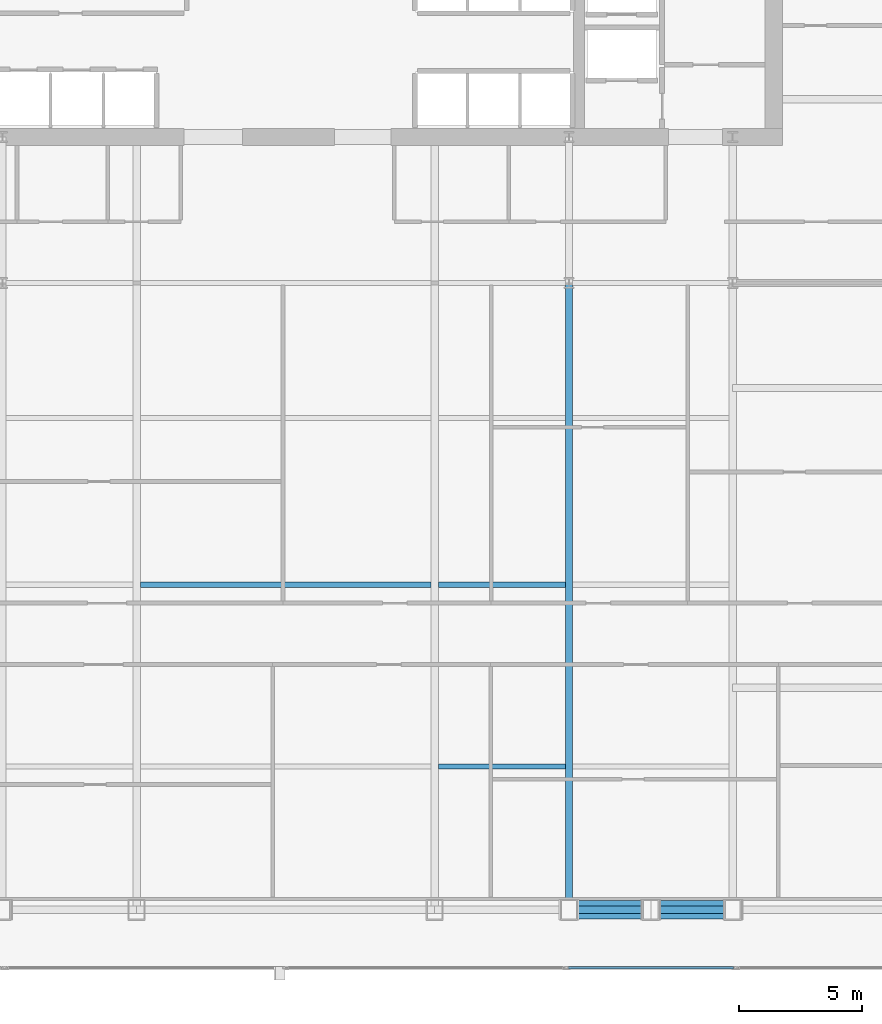
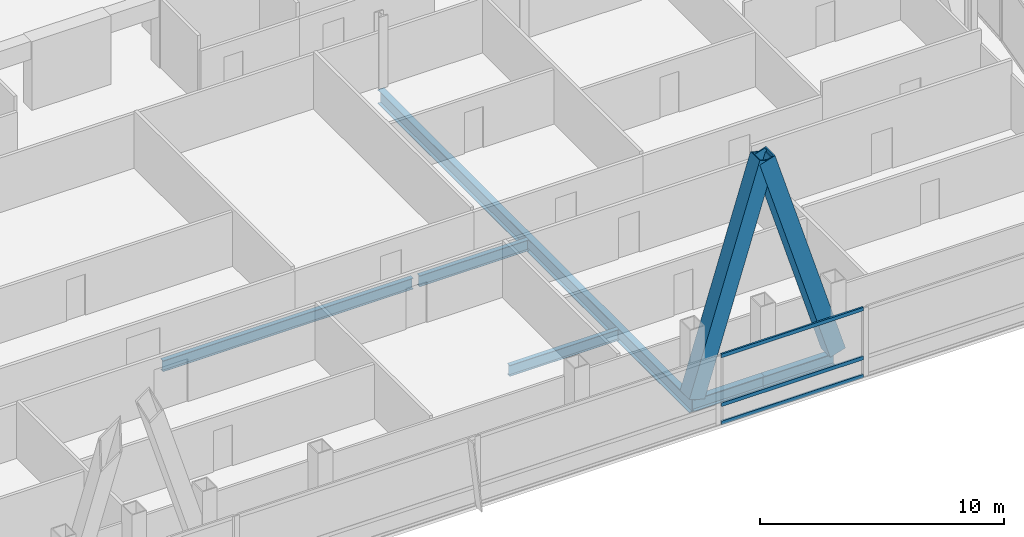
# One storey, part 14 of 33: 6 beams, 5 members, 1 element without a shape of its own.
"""IFC4 building model written with IfcOpenShell, lengths in metres."""

from ifc_helpers import new_model, si_unit, direction, frame, origin, origin_2d, place, context, subcontext, project, spatial, hollow_rectangle, i_section, extrude, material, material_profile, profile_set, type_object, element, aggregate, save


model = new_model("IFC4")

# Units and contexts
model_context = context("Model", 3, precision=1e-05, world=origin(), true_north=direction((0.0, 1.0)))
body_context = subcontext(model_context, "Body", "Model", "MODEL_VIEW")
ifc_project = project(units=[si_unit("LENGTHUNIT", "METRE"), si_unit("AREAUNIT", "SQUARE_METRE"), si_unit("VOLUMEUNIT", "CUBIC_METRE"), si_unit("PLANEANGLEUNIT", "RADIAN"), si_unit("MASSUNIT", "GRAM", prefix="KILO")], contexts=[model_context])

# Site, building, storey
site_placement = place(None, origin())
site = spatial("IfcSite", under=ifc_project, at=site_placement, CompositionType="ELEMENT")
building_placement = place(site_placement, origin())
building = spatial("IfcBuilding", under=site, at=building_placement, Name="Khoronbel Lancet Exchange", CompositionType="ELEMENT")
storey_placement = place(building_placement, frame((0.0, 0.0, 118.199951171875)))
storey = spatial("IfcBuildingStorey", under=building, at=storey_placement, Name="L28", CompositionType="ELEMENT", Elevation=118.199951171875)

# Beams
ifc_material_1 = material(Name="Steel S355", Category="steel")
ifc_material_profile_1 = material_profile(ifc_material_1, i_section(OverallWidth=0.300048828125, OverallDepth=0.699951171875, WebThickness=0.01708984375, FlangeThickness=0.031982421875, at=origin_2d()), Name="HEB 700")
ifc_profile_set_1 = profile_set([ifc_material_profile_1], Name="Steel S355")
beam_type_1 = type_object("IfcBeamType", Name="BM-BG3", PredefinedType="BEAM", material=ifc_profile_set_1)
beam_1_placement = place(storey_placement, frame((48.0, 10.14990234375, -0.510009765625), z_axis=(0.0, 1.0, 0.0), x_axis=(-1.0, 0.0, 0.0)))
element("IfcBeam", 1, at=beam_1_placement, inside=storey, type_object=beam_type_1, Name="Level L28 south primary girder GS5", PredefinedType="BEAM", context=body_context, shape_type="SweptSolid", body=[
    extrude(i_section(OverallWidth=0.300048828125, OverallDepth=0.699951171875, WebThickness=0.01708984375, FlangeThickness=0.031982421875, at=origin_2d()), origin(), (0.0, 0.0, 1.0), 25.550048828125),
])
ifc_material_profile_2 = material_profile(ifc_material_1, i_section(OverallWidth=0.2099609375, OverallDepth=0.550048828125, WebThickness=0.010986328125, FlangeThickness=0.01708984375, at=origin_2d()), Name="IPE 550")
ifc_profile_set_2 = profile_set([ifc_material_profile_2], Name="Steel S355")
beam_type_2 = type_object("IfcBeamType", Name="BM-BJ2", PredefinedType="JOIST", material=ifc_profile_set_2)
beam_2_placement = place(storey_placement, frame((42.675048828125, 16.0, -0.43505859375), z_axis=(1.0, 0.0, 0.0), x_axis=(0.0, 1.0, 0.0)))
element("IfcBeam", 2, at=beam_2_placement, inside=storey, type_object=beam_type_2, Name="Level L28 secondary composite joist J04", PredefinedType="JOIST", context=body_context, shape_type="SweptSolid", body=[
    extrude(i_section(OverallWidth=0.2099609375, OverallDepth=0.550048828125, WebThickness=0.010986328125, FlangeThickness=0.01708984375, at=origin_2d()), origin(), (0.0, 0.0, 1.0), 5.175048828125),
])
beam_3_placement = place(storey_placement, frame((30.52490234375, 23.39990234375, -0.43505859375), z_axis=(1.0, 0.0, 0.0), x_axis=(0.0, 1.0, 0.0)))
element("IfcBeam", 3, at=beam_3_placement, inside=storey, type_object=beam_type_2, Name="Level L28 secondary composite joist J08", PredefinedType="JOIST", context=body_context, shape_type="SweptSolid", body=[
    extrude(i_section(OverallWidth=0.2099609375, OverallDepth=0.550048828125, WebThickness=0.010986328125, FlangeThickness=0.01708984375, at=origin_2d()), origin(), (0.0, 0.0, 1.0), 11.85009765625),
])
beam_4_placement = place(storey_placement, frame((42.675048828125, 23.39990234375, -0.43505859375), z_axis=(1.0, 0.0, 0.0), x_axis=(0.0, 1.0, 0.0)))
element("IfcBeam", 4, at=beam_4_placement, inside=storey, type_object=beam_type_2, Name="Level L28 secondary composite joist J09", PredefinedType="JOIST", context=body_context, shape_type="SweptSolid", body=[
    extrude(i_section(OverallWidth=0.2099609375, OverallDepth=0.550048828125, WebThickness=0.010986328125, FlangeThickness=0.01708984375, at=origin_2d()), origin(), (0.0, 0.0, 1.0), 5.175048828125),
])
ifc_material_profile_3 = material_profile(ifc_material_1, i_section(OverallWidth=0.300048828125, OverallDepth=0.60009765625, WebThickness=0.015380859375, FlangeThickness=0.030029296875, at=origin_2d()), Name="HEB 600")
ifc_profile_set_3 = profile_set([ifc_material_profile_3], Name="Steel S355")
beam_type_3 = type_object("IfcBeamType", Name="BM-BSP2", PredefinedType="SPANDREL", material=ifc_profile_set_3)
beam_5_placement = place(storey_placement, frame((48.0, 10.14990234375, -0.4599609375), z_axis=(1.0, 0.0, 0.0), x_axis=(0.0, 1.0, 0.0)))
element("IfcBeam", 5, at=beam_5_placement, inside=storey, type_object=beam_type_3, Name="Level L28 perimeter spandrel beam SP07", PredefinedType="SPANDREL", context=body_context, shape_type="SweptSolid", body=[
    extrude(i_section(OverallWidth=0.300048828125, OverallDepth=0.60009765625, WebThickness=0.015380859375, FlangeThickness=0.030029296875, at=origin_2d()), origin(), (0.0, 0.0, 1.0), 3.33740234375),
])
beam_6_placement = place(storey_placement, frame((51.33740234375, 10.14990234375, -0.4599609375), z_axis=(1.0, 0.0, 0.0), x_axis=(0.0, 1.0, 0.0)))
element("IfcBeam", 6, at=beam_6_placement, inside=storey, type_object=beam_type_3, Name="Level L28 perimeter spandrel beam SP08", PredefinedType="SPANDREL", context=body_context, shape_type="SweptSolid", body=[
    extrude(i_section(OverallWidth=0.300048828125, OverallDepth=0.60009765625, WebThickness=0.015380859375, FlangeThickness=0.030029296875, at=origin_2d()), origin(), (0.0, 0.0, 1.0), 3.337646484375),
])

# Curtain wall, members
ifc_material_2 = material(Name="Low-E Solar Control Insulating Glass", Category="glass")
curtain_wall_type = type_object("IfcCurtainWallType", Name="CW-2", PredefinedType="NOTDEFINED", material=ifc_material_2)
curtain_wall_placement = place(storey_placement, origin())
curtain_wall = element("IfcCurtainWall", 7, at=curtain_wall_placement, inside=storey, type_object=curtain_wall_type, Name="Unitised curtain wall CW-L28-SEB", PredefinedType="NOTDEFINED")
ifc_material_3 = material(Name="Bronze-Anodised Aluminium 6063-T6", Category="aluminium")
ifc_material_profile_4 = material_profile(ifc_material_3, hollow_rectangle(XDim=0.0849609375, YDim=0.179931640625, WallThickness=0.0048828125, at=origin_2d()), Name="ALU TRANSOM 85x180")
ifc_profile_set_4 = profile_set([ifc_material_profile_4], Name="Bronze-Anodised Aluminium 6063-T6")
member_type_1 = type_object("IfcMemberType", Name="MEM-CWT1", PredefinedType="USERDEFINED", material=ifc_profile_set_4)
member_1_placement = place(storey_placement, frame((47.985107421875, 7.7900390625, 0.04248046875), z_axis=(1.0, 0.0, 0.0), x_axis=(0.0, 1.0, 0.0)))
member_1 = element("IfcMember", 8, at=member_1_placement, type_object=member_type_1, Name="CW2 transom 1.1", ObjectType="TRANSOM", PredefinedType="USERDEFINED", context=body_context, shape_type="SweptSolid", body=[
    extrude(hollow_rectangle(XDim=0.0849609375, YDim=0.179931640625, WallThickness=0.0048828125, at=origin_2d()), origin(), (0.0, 0.0, 1.0), 6.72998046875),
])
member_2_placement = place(storey_placement, frame((47.985107421875, 7.7900390625, 0.949951171875), z_axis=(1.0, 0.0, 0.0), x_axis=(0.0, 1.0, 0.0)))
member_2 = element("IfcMember", 9, at=member_2_placement, type_object=member_type_1, Name="CW2 transom 1.2", ObjectType="TRANSOM", PredefinedType="USERDEFINED", context=body_context, shape_type="SweptSolid", body=[
    extrude(hollow_rectangle(XDim=0.0849609375, YDim=0.179931640625, WallThickness=0.0048828125, at=origin_2d()), origin(), (0.0, 0.0, 1.0), 6.72998046875),
])
member_3_placement = place(storey_placement, frame((47.985107421875, 7.7900390625, 3.3974609375), z_axis=(1.0, 0.0, 0.0), x_axis=(0.0, 1.0, 0.0)))
member_3 = element("IfcMember", 10, at=member_3_placement, type_object=member_type_1, Name="CW2 transom 1.3", ObjectType="TRANSOM", PredefinedType="USERDEFINED", context=body_context, shape_type="SweptSolid", body=[
    extrude(hollow_rectangle(XDim=0.0849609375, YDim=0.179931640625, WallThickness=0.0048828125, at=origin_2d()), origin(), (0.0, 0.0, 1.0), 6.72998046875),
])
aggregate(curtain_wall, [member_1, member_2, member_3])

# Members
ifc_material_4 = material(Name="Steel S460", Category="steel")
ifc_material_profile_5 = material_profile(ifc_material_4, hollow_rectangle(XDim=0.760009765625, YDim=0.760009765625, WallThickness=0.054931640625, at=origin_2d()), Name="BOX 760x760x55")
ifc_profile_set_5 = profile_set([ifc_material_profile_5], Name="Steel S460")
member_type_2 = type_object("IfcMemberType", Name="MEM-MB1", PredefinedType="BRACE", material=ifc_profile_set_5)
for number, where, z_axis, x_axis, name in (
    (11, (48.0, 10.14990234375, 0.0), (0.295242108906, 0.0, 0.955422470496), (0.0, 1.0, 0.0), "Perimeter lancet brace tier 9 S-E-L"),
    (12, (54.675048828125, 10.14990234375, 0.0), (-0.295261823895, 0.0, 0.955416378), (0.0, -1.0, 0.0), "Perimeter lancet brace tier 9 S-E-R"),
):
    element("IfcMember", number, at=place(storey_placement, frame(where, z_axis=z_axis, x_axis=x_axis)), inside=storey, type_object=member_type_2, Name=name, PredefinedType="BRACE", context=body_context, shape_type="SweptSolid", body=[
        extrude(hollow_rectangle(XDim=0.760009765625, YDim=0.760009765625, WallThickness=0.054931640625, at=origin_2d()), origin(), (0.0, 0.0, 1.0), 11.303955078125),
    ])

save(model, "model.ifc")
